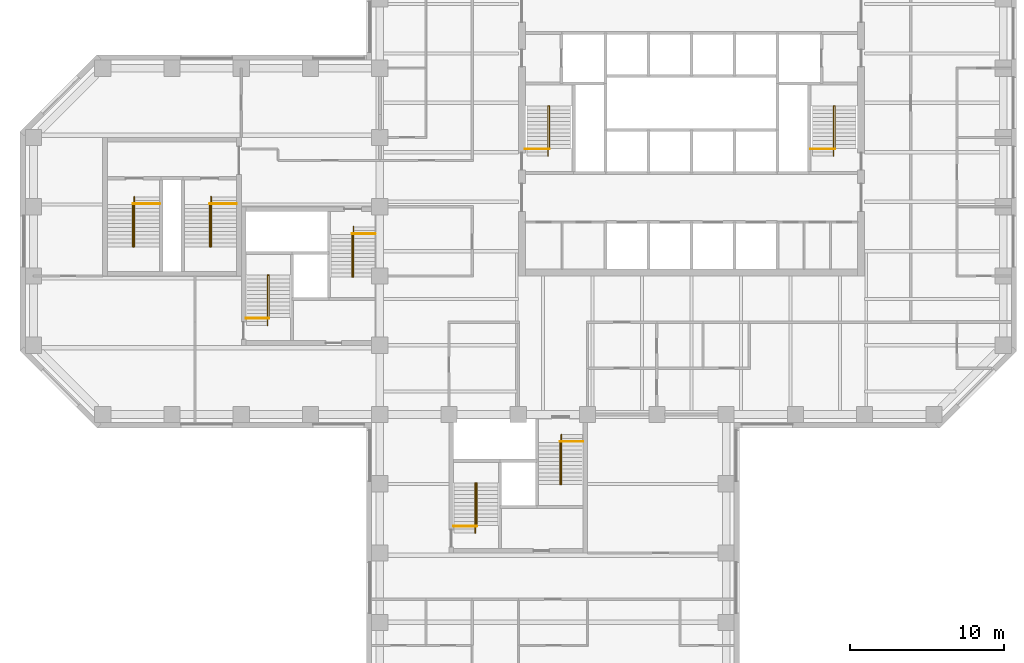
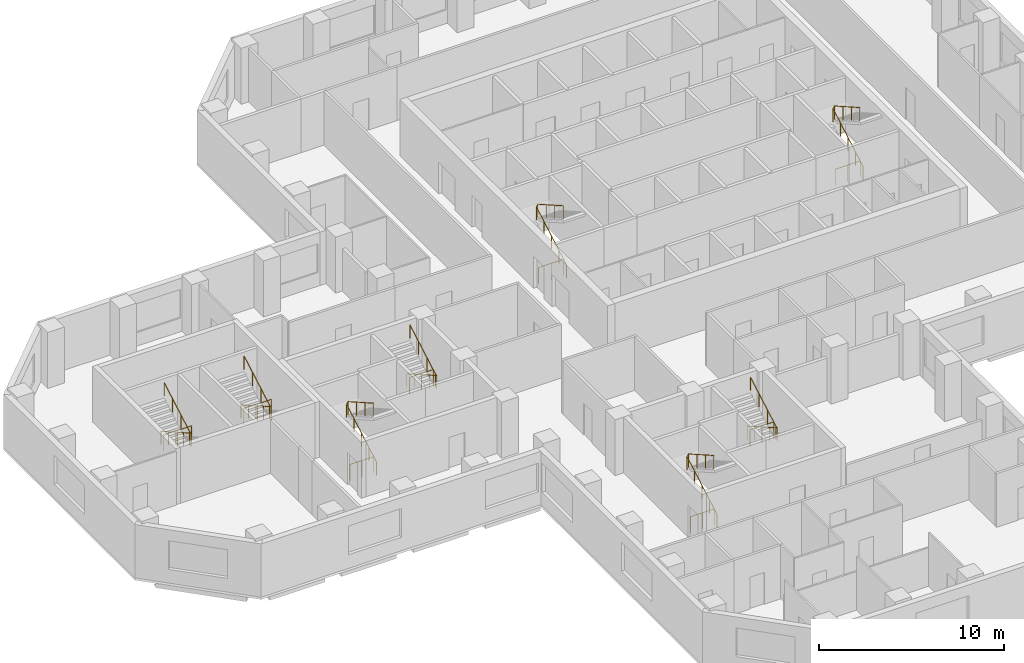
# One storey, part 10 of 10: 16 railings.
"""IFC4 building model written with IfcOpenShell, lengths in metres."""

from ifc_helpers import new_model, si_unit, direction, frame, origin, origin_2d, place, context, subcontext, project, spatial, circle, extrude, material, type_object, element, save


model = new_model("IFC4")

# Units and contexts
model_context = context("Model", 3, precision=1e-05, world=origin(), true_north=direction((0.0, 1.0)))
body_context = subcontext(model_context, "Body", "Model", "MODEL_VIEW")
ifc_project = project(units=[si_unit("LENGTHUNIT", "METRE"), si_unit("AREAUNIT", "SQUARE_METRE"), si_unit("VOLUMEUNIT", "CUBIC_METRE"), si_unit("PLANEANGLEUNIT", "RADIAN"), si_unit("MASSUNIT", "GRAM", prefix="KILO")], contexts=[model_context])

# Site, building, storey
site_placement = place(None, origin())
site = spatial("IfcSite", under=ifc_project, at=site_placement, CompositionType="ELEMENT")
building_placement = place(site_placement, origin())
building = spatial("IfcBuilding", under=site, at=building_placement, Name="Quoin Convention Tower", CompositionType="ELEMENT")
storey_placement = place(building_placement, frame((0.0, 0.0, 86.300048828125)))
storey = spatial("IfcBuildingStorey", under=building, at=storey_placement, Name="L22", CompositionType="ELEMENT", Elevation=86.300048828125)

# Railings
ifc_material = material(Name="Stainless steel", Category="steel")
railing_type_1 = type_object("IfcRailingType", Name="Stair handrail 900", PredefinedType="HANDRAIL", material=ifc_material)
railing_1_placement = place(storey_placement, frame((46.929931640625, 57.300048828125, 0.142333984375)))
element("IfcRailing", 1, at=railing_1_placement, inside=storey, type_object=railing_type_1, Name="SD1 handrail 1", PredefinedType="HANDRAIL", context=body_context, shape_type="SweptSolid", body=[
    extrude(circle(Radius=0.02392578125, at=origin_2d()), frame((0.0, 0.0, 0.8759765625), z_axis=(0.0, 0.869081571614, 0.494668800189), x_axis=(-1.0, 0.0, 0.0)), (0.0, 0.0, 1.0), 3.739501953125),
    extrude(circle(Radius=0.02392578125, at=origin_2d()), frame((0.0, 3.25, 2.7255859375), z_axis=(0.53481069233, 0.0, 0.844971906852), x_axis=(0.0, 1.0, 0.0)), (0.0, 0.0, 1.0), 0.16845703125),
    extrude(circle(Radius=0.02392578125, at=origin_2d()), frame((0.090087890625, 3.25, 2.8681640625), z_axis=(0.0, -0.869058607571, 0.494709143443), x_axis=(1.0, 0.0, 0.0)), (0.0, 0.0, 1.0), 3.164306640625),
    extrude(circle(Radius=0.02099609375, at=origin_2d()), origin(), (0.0, 0.0, 1.0), 0.851806640625),
    extrude(circle(Radius=0.02099609375, at=origin_2d()), frame((0.0, 0.8125, 0.46240234375)), (0.0, 0.0, 1.0), 0.851806640625),
    extrude(circle(Radius=0.02099609375, at=origin_2d()), frame((0.0, 1.625, 0.9248046875)), (0.0, 0.0, 1.0), 0.851806640625),
    extrude(circle(Radius=0.02099609375, at=origin_2d()), frame((0.0, 2.4375, 1.387451171875)), (0.0, 0.0, 1.0), 0.851806640625),
    extrude(circle(Radius=0.02099609375, at=origin_2d()), frame((0.0, 3.25, 1.849853515625)), (0.0, 0.0, 1.0), 0.851806640625),
    extrude(circle(Radius=0.02099609375, at=origin_2d()), frame((0.090087890625, 3.25, 1.9921875)), (0.0, 0.0, 1.0), 0.851806640625),
    extrude(circle(Radius=0.02099609375, at=origin_2d()), frame((0.090087890625, 2.333251953125, 2.513916015625)), (0.0, 0.0, 1.0), 0.851806640625),
    extrude(circle(Radius=0.02099609375, at=origin_2d()), frame((0.090087890625, 1.416748046875, 3.035888671875)), (0.0, 0.0, 1.0), 0.851806640625),
    extrude(circle(Radius=0.02099609375, at=origin_2d()), frame((0.090087890625, 0.5, 3.5576171875)), (0.0, 0.0, 1.0), 0.851806640625),
])
railing_2_placement = place(storey_placement, frame((65.47998046875, 57.300048828125, 0.142333984375)))
element("IfcRailing", 2, at=railing_2_placement, inside=storey, type_object=railing_type_1, Name="SD2 handrail 1", PredefinedType="HANDRAIL", context=body_context, shape_type="SweptSolid", body=[
    extrude(circle(Radius=0.02392578125, at=origin_2d()), frame((0.0, 0.0, 0.8759765625), z_axis=(0.0, 0.869081571614, 0.494668800189), x_axis=(-1.0, 0.0, 0.0)), (0.0, 0.0, 1.0), 3.739501953125),
    extrude(circle(Radius=0.02392578125, at=origin_2d()), frame((0.0, 3.25, 2.7255859375), z_axis=(0.53481069233, 0.0, 0.844971906852), x_axis=(0.0, 1.0, 0.0)), (0.0, 0.0, 1.0), 0.16845703125),
    extrude(circle(Radius=0.02392578125, at=origin_2d()), frame((0.090087890625, 3.25, 2.8681640625), z_axis=(0.0, -0.869058607571, 0.494709143443), x_axis=(1.0, 0.0, 0.0)), (0.0, 0.0, 1.0), 3.164306640625),
    extrude(circle(Radius=0.02099609375, at=origin_2d()), origin(), (0.0, 0.0, 1.0), 0.851806640625),
    extrude(circle(Radius=0.02099609375, at=origin_2d()), frame((0.0, 0.8125, 0.46240234375)), (0.0, 0.0, 1.0), 0.851806640625),
    extrude(circle(Radius=0.02099609375, at=origin_2d()), frame((0.0, 1.625, 0.9248046875)), (0.0, 0.0, 1.0), 0.851806640625),
    extrude(circle(Radius=0.02099609375, at=origin_2d()), frame((0.0, 2.4375, 1.387451171875)), (0.0, 0.0, 1.0), 0.851806640625),
    extrude(circle(Radius=0.02099609375, at=origin_2d()), frame((0.0, 3.25, 1.849853515625)), (0.0, 0.0, 1.0), 0.851806640625),
    extrude(circle(Radius=0.02099609375, at=origin_2d()), frame((0.090087890625, 3.25, 1.9921875)), (0.0, 0.0, 1.0), 0.851806640625),
    extrude(circle(Radius=0.02099609375, at=origin_2d()), frame((0.090087890625, 2.333251953125, 2.513916015625)), (0.0, 0.0, 1.0), 0.851806640625),
    extrude(circle(Radius=0.02099609375, at=origin_2d()), frame((0.090087890625, 1.416748046875, 3.035888671875)), (0.0, 0.0, 1.0), 0.851806640625),
    extrude(circle(Radius=0.02099609375, at=origin_2d()), frame((0.090087890625, 0.5, 3.5576171875)), (0.0, 0.0, 1.0), 0.851806640625),
])
railing_3_placement = place(storey_placement, frame((28.705078125, 46.300048828125, 0.142333984375)))
element("IfcRailing", 3, at=railing_3_placement, inside=storey, type_object=railing_type_1, Name="SD3 handrail 1", PredefinedType="HANDRAIL", context=body_context, shape_type="SweptSolid", body=[
    extrude(circle(Radius=0.02392578125, at=origin_2d()), frame((0.0, 0.0, 0.8759765625), z_axis=(0.0, 0.869081571614, 0.494668800189), x_axis=(-1.0, 0.0, 0.0)), (0.0, 0.0, 1.0), 3.739501953125),
    extrude(circle(Radius=0.02392578125, at=origin_2d()), frame((0.0, 3.25, 2.7255859375), z_axis=(0.533774684331, 0.0, 0.845626741753), x_axis=(0.0, 1.0, 0.0)), (0.0, 0.0, 1.0), 0.168212890625),
    extrude(circle(Radius=0.02392578125, at=origin_2d()), frame((0.08984375, 3.25, 2.8681640625), z_axis=(0.0, -0.869058607571, 0.494709143443), x_axis=(1.0, 0.0, 0.0)), (0.0, 0.0, 1.0), 3.164306640625),
    extrude(circle(Radius=0.02099609375, at=origin_2d()), origin(), (0.0, 0.0, 1.0), 0.851806640625),
    extrude(circle(Radius=0.02099609375, at=origin_2d()), frame((0.0, 0.8125, 0.46240234375)), (0.0, 0.0, 1.0), 0.851806640625),
    extrude(circle(Radius=0.02099609375, at=origin_2d()), frame((0.0, 1.625, 0.9248046875)), (0.0, 0.0, 1.0), 0.851806640625),
    extrude(circle(Radius=0.02099609375, at=origin_2d()), frame((0.0, 2.4375, 1.387451171875)), (0.0, 0.0, 1.0), 0.851806640625),
    extrude(circle(Radius=0.02099609375, at=origin_2d()), frame((0.0, 3.25, 1.849853515625)), (0.0, 0.0, 1.0), 0.851806640625),
    extrude(circle(Radius=0.02099609375, at=origin_2d()), frame((0.08984375, 3.25, 1.9921875)), (0.0, 0.0, 1.0), 0.851806640625),
    extrude(circle(Radius=0.02099609375, at=origin_2d()), frame((0.08984375, 2.333251953125, 2.513916015625)), (0.0, 0.0, 1.0), 0.851806640625),
    extrude(circle(Radius=0.02099609375, at=origin_2d()), frame((0.08984375, 1.416748046875, 3.035888671875)), (0.0, 0.0, 1.0), 0.851806640625),
    extrude(circle(Radius=0.02099609375, at=origin_2d()), frame((0.08984375, 0.5, 3.5576171875)), (0.0, 0.0, 1.0), 0.851806640625),
])
railing_4_placement = place(storey_placement, frame((34.294921875, 52.699951171875, 0.142333984375)))
element("IfcRailing", 4, at=railing_4_placement, inside=storey, type_object=railing_type_1, Name="SD4 handrail 1", PredefinedType="HANDRAIL", context=body_context, shape_type="SweptSolid", body=[
    extrude(circle(Radius=0.02392578125, at=origin_2d()), frame((0.0, 0.0, 0.8759765625), z_axis=(0.0, -0.869081571614, 0.494668800189), x_axis=(1.0, 0.0, 0.0)), (0.0, 0.0, 1.0), 3.739501953125),
    extrude(circle(Radius=0.02392578125, at=origin_2d()), frame((0.0, -3.25, 2.7255859375), z_axis=(-0.533774684331, 0.0, 0.845626741753), x_axis=(0.0, -1.0, 0.0)), (0.0, 0.0, 1.0), 0.168212890625),
    extrude(circle(Radius=0.02392578125, at=origin_2d()), frame((-0.08984375, -3.25, 2.8681640625), z_axis=(0.0, 0.869058607571, 0.494709143443), x_axis=(-1.0, 0.0, 0.0)), (0.0, 0.0, 1.0), 3.164306640625),
    extrude(circle(Radius=0.02099609375, at=origin_2d()), origin(), (0.0, 0.0, 1.0), 0.851806640625),
    extrude(circle(Radius=0.02099609375, at=origin_2d()), frame((0.0, -0.8125, 0.46240234375)), (0.0, 0.0, 1.0), 0.851806640625),
    extrude(circle(Radius=0.02099609375, at=origin_2d()), frame((0.0, -1.625, 0.9248046875)), (0.0, 0.0, 1.0), 0.851806640625),
    extrude(circle(Radius=0.02099609375, at=origin_2d()), frame((0.0, -2.4375, 1.387451171875)), (0.0, 0.0, 1.0), 0.851806640625),
    extrude(circle(Radius=0.02099609375, at=origin_2d()), frame((0.0, -3.25, 1.849853515625)), (0.0, 0.0, 1.0), 0.851806640625),
    extrude(circle(Radius=0.02099609375, at=origin_2d()), frame((-0.08984375, -3.25, 1.9921875)), (0.0, 0.0, 1.0), 0.851806640625),
    extrude(circle(Radius=0.02099609375, at=origin_2d()), frame((-0.08984375, -2.333251953125, 2.513916015625)), (0.0, 0.0, 1.0), 0.851806640625),
    extrude(circle(Radius=0.02099609375, at=origin_2d()), frame((-0.08984375, -1.416748046875, 3.035888671875)), (0.0, 0.0, 1.0), 0.851806640625),
    extrude(circle(Radius=0.02099609375, at=origin_2d()), frame((-0.08984375, -0.5, 3.5576171875)), (0.0, 0.0, 1.0), 0.851806640625),
])
railing_5_placement = place(storey_placement, frame((42.205078125, 32.800048828125, 0.142333984375)))
element("IfcRailing", 5, at=railing_5_placement, inside=storey, type_object=railing_type_1, Name="SD5 handrail 1", PredefinedType="HANDRAIL", context=body_context, shape_type="SweptSolid", body=[
    extrude(circle(Radius=0.02392578125, at=origin_2d()), frame((0.0, 0.0, 0.8759765625), z_axis=(0.0, 0.869081571614, 0.494668800189), x_axis=(-1.0, 0.0, 0.0)), (0.0, 0.0, 1.0), 3.739501953125),
    extrude(circle(Radius=0.02392578125, at=origin_2d()), frame((0.0, 3.25, 2.7255859375), z_axis=(0.533774684331, 0.0, 0.845626741753), x_axis=(0.0, 1.0, 0.0)), (0.0, 0.0, 1.0), 0.168212890625),
    extrude(circle(Radius=0.02392578125, at=origin_2d()), frame((0.08984375, 3.25, 2.8681640625), z_axis=(0.0, -0.869058607571, 0.494709143443), x_axis=(1.0, 0.0, 0.0)), (0.0, 0.0, 1.0), 3.164306640625),
    extrude(circle(Radius=0.02099609375, at=origin_2d()), origin(), (0.0, 0.0, 1.0), 0.851806640625),
    extrude(circle(Radius=0.02099609375, at=origin_2d()), frame((0.0, 0.8125, 0.46240234375)), (0.0, 0.0, 1.0), 0.851806640625),
    extrude(circle(Radius=0.02099609375, at=origin_2d()), frame((0.0, 1.625, 0.9248046875)), (0.0, 0.0, 1.0), 0.851806640625),
    extrude(circle(Radius=0.02099609375, at=origin_2d()), frame((0.0, 2.4375, 1.387451171875)), (0.0, 0.0, 1.0), 0.851806640625),
    extrude(circle(Radius=0.02099609375, at=origin_2d()), frame((0.0, 3.25, 1.849853515625)), (0.0, 0.0, 1.0), 0.851806640625),
    extrude(circle(Radius=0.02099609375, at=origin_2d()), frame((0.08984375, 3.25, 1.9921875)), (0.0, 0.0, 1.0), 0.851806640625),
    extrude(circle(Radius=0.02099609375, at=origin_2d()), frame((0.08984375, 2.333251953125, 2.513916015625)), (0.0, 0.0, 1.0), 0.851806640625),
    extrude(circle(Radius=0.02099609375, at=origin_2d()), frame((0.08984375, 1.416748046875, 3.035888671875)), (0.0, 0.0, 1.0), 0.851806640625),
    extrude(circle(Radius=0.02099609375, at=origin_2d()), frame((0.08984375, 0.5, 3.5576171875)), (0.0, 0.0, 1.0), 0.851806640625),
])
railing_6_placement = place(storey_placement, frame((47.794921875, 39.199951171875, 0.142333984375)))
element("IfcRailing", 6, at=railing_6_placement, inside=storey, type_object=railing_type_1, Name="SD6 handrail 1", PredefinedType="HANDRAIL", context=body_context, shape_type="SweptSolid", body=[
    extrude(circle(Radius=0.02392578125, at=origin_2d()), frame((0.0, 0.0, 0.8759765625), z_axis=(0.0, -0.869081571614, 0.494668800189), x_axis=(1.0, 0.0, 0.0)), (0.0, 0.0, 1.0), 3.739501953125),
    extrude(circle(Radius=0.02392578125, at=origin_2d()), frame((0.0, -3.25, 2.7255859375), z_axis=(-0.533774684331, 0.0, 0.845626741753), x_axis=(0.0, -1.0, 0.0)), (0.0, 0.0, 1.0), 0.168212890625),
    extrude(circle(Radius=0.02392578125, at=origin_2d()), frame((-0.08984375, -3.25, 2.8681640625), z_axis=(0.0, 0.869058607571, 0.494709143443), x_axis=(-1.0, 0.0, 0.0)), (0.0, 0.0, 1.0), 3.164306640625),
    extrude(circle(Radius=0.02099609375, at=origin_2d()), origin(), (0.0, 0.0, 1.0), 0.851806640625),
    extrude(circle(Radius=0.02099609375, at=origin_2d()), frame((0.0, -0.8125, 0.46240234375)), (0.0, 0.0, 1.0), 0.851806640625),
    extrude(circle(Radius=0.02099609375, at=origin_2d()), frame((0.0, -1.625, 0.9248046875)), (0.0, 0.0, 1.0), 0.851806640625),
    extrude(circle(Radius=0.02099609375, at=origin_2d()), frame((0.0, -2.4375, 1.387451171875)), (0.0, 0.0, 1.0), 0.851806640625),
    extrude(circle(Radius=0.02099609375, at=origin_2d()), frame((0.0, -3.25, 1.849853515625)), (0.0, 0.0, 1.0), 0.851806640625),
    extrude(circle(Radius=0.02099609375, at=origin_2d()), frame((-0.08984375, -3.25, 1.9921875)), (0.0, 0.0, 1.0), 0.851806640625),
    extrude(circle(Radius=0.02099609375, at=origin_2d()), frame((-0.08984375, -2.333251953125, 2.513916015625)), (0.0, 0.0, 1.0), 0.851806640625),
    extrude(circle(Radius=0.02099609375, at=origin_2d()), frame((-0.08984375, -1.416748046875, 3.035888671875)), (0.0, 0.0, 1.0), 0.851806640625),
    extrude(circle(Radius=0.02099609375, at=origin_2d()), frame((-0.08984375, -0.5, 3.5576171875)), (0.0, 0.0, 1.0), 0.851806640625),
])
railing_7_placement = place(storey_placement, frame((20.044921875, 54.64990234375, 0.142333984375)))
element("IfcRailing", 7, at=railing_7_placement, inside=storey, type_object=railing_type_1, Name="SD11 handrail 1", PredefinedType="HANDRAIL", context=body_context, shape_type="SweptSolid", body=[
    extrude(circle(Radius=0.02392578125, at=origin_2d()), frame((0.0, 0.0, 0.8759765625), z_axis=(0.0, -0.869081571614, 0.494668800189), x_axis=(1.0, 0.0, 0.0)), (0.0, 0.0, 1.0), 3.739501953125),
    extrude(circle(Radius=0.02392578125, at=origin_2d()), frame((0.0, -3.25, 2.7255859375), z_axis=(-0.533774684331, 0.0, 0.845626741753), x_axis=(0.0, -1.0, 0.0)), (0.0, 0.0, 1.0), 0.168212890625),
    extrude(circle(Radius=0.02392578125, at=origin_2d()), frame((-0.08984375, -3.25, 2.8681640625), z_axis=(0.0, 0.869058607571, 0.494709143443), x_axis=(-1.0, 0.0, 0.0)), (0.0, 0.0, 1.0), 3.164306640625),
    extrude(circle(Radius=0.02099609375, at=origin_2d()), origin(), (0.0, 0.0, 1.0), 0.851806640625),
    extrude(circle(Radius=0.02099609375, at=origin_2d()), frame((0.0, -0.8125, 0.46240234375)), (0.0, 0.0, 1.0), 0.851806640625),
    extrude(circle(Radius=0.02099609375, at=origin_2d()), frame((0.0, -1.625, 0.9248046875)), (0.0, 0.0, 1.0), 0.851806640625),
    extrude(circle(Radius=0.02099609375, at=origin_2d()), frame((0.0, -2.4375, 1.387451171875)), (0.0, 0.0, 1.0), 0.851806640625),
    extrude(circle(Radius=0.02099609375, at=origin_2d()), frame((0.0, -3.25, 1.849853515625)), (0.0, 0.0, 1.0), 0.851806640625),
    extrude(circle(Radius=0.02099609375, at=origin_2d()), frame((-0.08984375, -3.25, 1.9921875)), (0.0, 0.0, 1.0), 0.851806640625),
    extrude(circle(Radius=0.02099609375, at=origin_2d()), frame((-0.08984375, -2.333251953125, 2.513916015625)), (0.0, 0.0, 1.0), 0.851806640625),
    extrude(circle(Radius=0.02099609375, at=origin_2d()), frame((-0.08984375, -1.416748046875, 3.035888671875)), (0.0, 0.0, 1.0), 0.851806640625),
    extrude(circle(Radius=0.02099609375, at=origin_2d()), frame((-0.08984375, -0.5, 3.5576171875)), (0.0, 0.0, 1.0), 0.851806640625),
])
railing_8_placement = place(storey_placement, frame((25.044921875, 54.64990234375, 0.142333984375)))
element("IfcRailing", 8, at=railing_8_placement, inside=storey, type_object=railing_type_1, Name="SD12 handrail 1", PredefinedType="HANDRAIL", context=body_context, shape_type="SweptSolid", body=[
    extrude(circle(Radius=0.02392578125, at=origin_2d()), frame((0.0, 0.0, 0.8759765625), z_axis=(0.0, -0.869081571614, 0.494668800189), x_axis=(1.0, 0.0, 0.0)), (0.0, 0.0, 1.0), 3.739501953125),
    extrude(circle(Radius=0.02392578125, at=origin_2d()), frame((0.0, -3.25, 2.7255859375), z_axis=(-0.533774684331, 0.0, 0.845626741753), x_axis=(0.0, -1.0, 0.0)), (0.0, 0.0, 1.0), 0.168212890625),
    extrude(circle(Radius=0.02392578125, at=origin_2d()), frame((-0.08984375, -3.25, 2.8681640625), z_axis=(0.0, 0.869058607571, 0.494709143443), x_axis=(-1.0, 0.0, 0.0)), (0.0, 0.0, 1.0), 3.164306640625),
    extrude(circle(Radius=0.02099609375, at=origin_2d()), origin(), (0.0, 0.0, 1.0), 0.851806640625),
    extrude(circle(Radius=0.02099609375, at=origin_2d()), frame((0.0, -0.8125, 0.46240234375)), (0.0, 0.0, 1.0), 0.851806640625),
    extrude(circle(Radius=0.02099609375, at=origin_2d()), frame((0.0, -1.625, 0.9248046875)), (0.0, 0.0, 1.0), 0.851806640625),
    extrude(circle(Radius=0.02099609375, at=origin_2d()), frame((0.0, -2.4375, 1.387451171875)), (0.0, 0.0, 1.0), 0.851806640625),
    extrude(circle(Radius=0.02099609375, at=origin_2d()), frame((0.0, -3.25, 1.849853515625)), (0.0, 0.0, 1.0), 0.851806640625),
    extrude(circle(Radius=0.02099609375, at=origin_2d()), frame((-0.08984375, -3.25, 1.9921875)), (0.0, 0.0, 1.0), 0.851806640625),
    extrude(circle(Radius=0.02099609375, at=origin_2d()), frame((-0.08984375, -2.333251953125, 2.513916015625)), (0.0, 0.0, 1.0), 0.851806640625),
    extrude(circle(Radius=0.02099609375, at=origin_2d()), frame((-0.08984375, -1.416748046875, 3.035888671875)), (0.0, 0.0, 1.0), 0.851806640625),
    extrude(circle(Radius=0.02099609375, at=origin_2d()), frame((-0.08984375, -0.5, 3.5576171875)), (0.0, 0.0, 1.0), 0.851806640625),
])
railing_type_2 = type_object("IfcRailingType", Name="Stair top guard 1100", PredefinedType="GUARDRAIL", material=ifc_material)
for number, where, name in (
    (9, (45.449951171875, 57.75, 0.0), "SD1 top guard"),
    (10, (64.0, 57.75, 0.0), "SD2 top guard"),
):
    element("IfcRailing", number, at=place(storey_placement, frame(where)), inside=storey, type_object=railing_type_2, Name=name, PredefinedType="GUARDRAIL", context=body_context, shape_type="SweptSolid", body=[
        extrude(circle(Radius=0.02392578125, at=origin_2d()), frame((0.0, 0.0, 1.076171875), z_axis=(1.0, 0.0, 0.0), x_axis=(0.0, 1.0, 0.0)), (0.0, 0.0, 1.0), 1.570068359375),
        extrude(circle(Radius=0.02099609375, at=origin_2d()), origin(), (0.0, 0.0, 1.0), 1.052001953125),
        extrude(circle(Radius=0.02099609375, at=origin_2d()), frame((0.78515625, 0.0, 0.0)), (0.0, 0.0, 1.0), 1.052001953125),
        extrude(circle(Radius=0.02099609375, at=origin_2d()), frame((1.570068359375, 0.0, 0.0)), (0.0, 0.0, 1.0), 1.052001953125),
    ])
railing_9_placement = place(storey_placement, frame((27.300048828125, 46.75, 0.0)))
element("IfcRailing", 11, at=railing_9_placement, inside=storey, type_object=railing_type_2, Name="SD3 top guard", PredefinedType="GUARDRAIL", context=body_context, shape_type="SweptSolid", body=[
    extrude(circle(Radius=0.02392578125, at=origin_2d()), frame((0.0, 0.0, 1.076171875), z_axis=(1.0, 0.0, 0.0), x_axis=(0.0, 1.0, 0.0)), (0.0, 0.0, 1.0), 1.494873046875),
    extrude(circle(Radius=0.02099609375, at=origin_2d()), origin(), (0.0, 0.0, 1.0), 1.052001953125),
    extrude(circle(Radius=0.02099609375, at=origin_2d()), frame((0.74755859375, 0.0, 0.0)), (0.0, 0.0, 1.0), 1.052001953125),
    extrude(circle(Radius=0.02099609375, at=origin_2d()), frame((1.494873046875, 0.0, 0.0)), (0.0, 0.0, 1.0), 1.052001953125),
])
railing_10_placement = place(storey_placement, frame((35.699951171875, 52.25, 0.0)))
element("IfcRailing", 12, at=railing_10_placement, inside=storey, type_object=railing_type_2, Name="SD4 top guard", PredefinedType="GUARDRAIL", context=body_context, shape_type="SweptSolid", body=[
    extrude(circle(Radius=0.02392578125, at=origin_2d()), frame((0.0, 0.0, 1.076171875), z_axis=(-1.0, 0.0, 0.0), x_axis=(0.0, -1.0, 0.0)), (0.0, 0.0, 1.0), 1.494873046875),
    extrude(circle(Radius=0.02099609375, at=origin_2d()), origin(), (0.0, 0.0, 1.0), 1.052001953125),
    extrude(circle(Radius=0.02099609375, at=origin_2d()), frame((-0.74755859375, 0.0, 0.0)), (0.0, 0.0, 1.0), 1.052001953125),
    extrude(circle(Radius=0.02099609375, at=origin_2d()), frame((-1.494873046875, 0.0, 0.0)), (0.0, 0.0, 1.0), 1.052001953125),
])
railing_11_placement = place(storey_placement, frame((40.800048828125, 33.25, 0.0)))
element("IfcRailing", 13, at=railing_11_placement, inside=storey, type_object=railing_type_2, Name="SD5 top guard", PredefinedType="GUARDRAIL", context=body_context, shape_type="SweptSolid", body=[
    extrude(circle(Radius=0.02392578125, at=origin_2d()), frame((0.0, 0.0, 1.076171875), z_axis=(1.0, 0.0, 0.0), x_axis=(0.0, 1.0, 0.0)), (0.0, 0.0, 1.0), 1.494873046875),
    extrude(circle(Radius=0.02099609375, at=origin_2d()), origin(), (0.0, 0.0, 1.0), 1.052001953125),
    extrude(circle(Radius=0.02099609375, at=origin_2d()), frame((0.74755859375, 0.0, 0.0)), (0.0, 0.0, 1.0), 1.052001953125),
    extrude(circle(Radius=0.02099609375, at=origin_2d()), frame((1.494873046875, 0.0, 0.0)), (0.0, 0.0, 1.0), 1.052001953125),
])
railing_12_placement = place(storey_placement, frame((49.199951171875, 38.75, 0.0)))
element("IfcRailing", 14, at=railing_12_placement, inside=storey, type_object=railing_type_2, Name="SD6 top guard", PredefinedType="GUARDRAIL", context=body_context, shape_type="SweptSolid", body=[
    extrude(circle(Radius=0.02392578125, at=origin_2d()), frame((0.0, 0.0, 1.076171875), z_axis=(-1.0, 0.0, 0.0), x_axis=(0.0, -1.0, 0.0)), (0.0, 0.0, 1.0), 1.494873046875),
    extrude(circle(Radius=0.02099609375, at=origin_2d()), origin(), (0.0, 0.0, 1.0), 1.052001953125),
    extrude(circle(Radius=0.02099609375, at=origin_2d()), frame((-0.74755859375, 0.0, 0.0)), (0.0, 0.0, 1.0), 1.052001953125),
    extrude(circle(Radius=0.02099609375, at=origin_2d()), frame((-1.494873046875, 0.0, 0.0)), (0.0, 0.0, 1.0), 1.052001953125),
])
for number, where, name in (
    (15, (21.699951171875, 54.199951171875, 0.0), "SD11 top guard"),
    (16, (26.699951171875, 54.199951171875, 0.0), "SD12 top guard"),
):
    element("IfcRailing", number, at=place(storey_placement, frame(where)), inside=storey, type_object=railing_type_2, Name=name, PredefinedType="GUARDRAIL", context=body_context, shape_type="SweptSolid", body=[
        extrude(circle(Radius=0.02392578125, at=origin_2d()), frame((0.0, 0.0, 1.076171875), z_axis=(-1.0, 0.0, 0.0), x_axis=(0.0, -1.0, 0.0)), (0.0, 0.0, 1.0), 1.744873046875),
        extrude(circle(Radius=0.02099609375, at=origin_2d()), origin(), (0.0, 0.0, 1.0), 1.052001953125),
        extrude(circle(Radius=0.02099609375, at=origin_2d()), frame((-0.87255859375, 0.0, 0.0)), (0.0, 0.0, 1.0), 1.052001953125),
        extrude(circle(Radius=0.02099609375, at=origin_2d()), frame((-1.744873046875, 0.0, 0.0)), (0.0, 0.0, 1.0), 1.052001953125),
    ])

save(model, "model.ifc")
